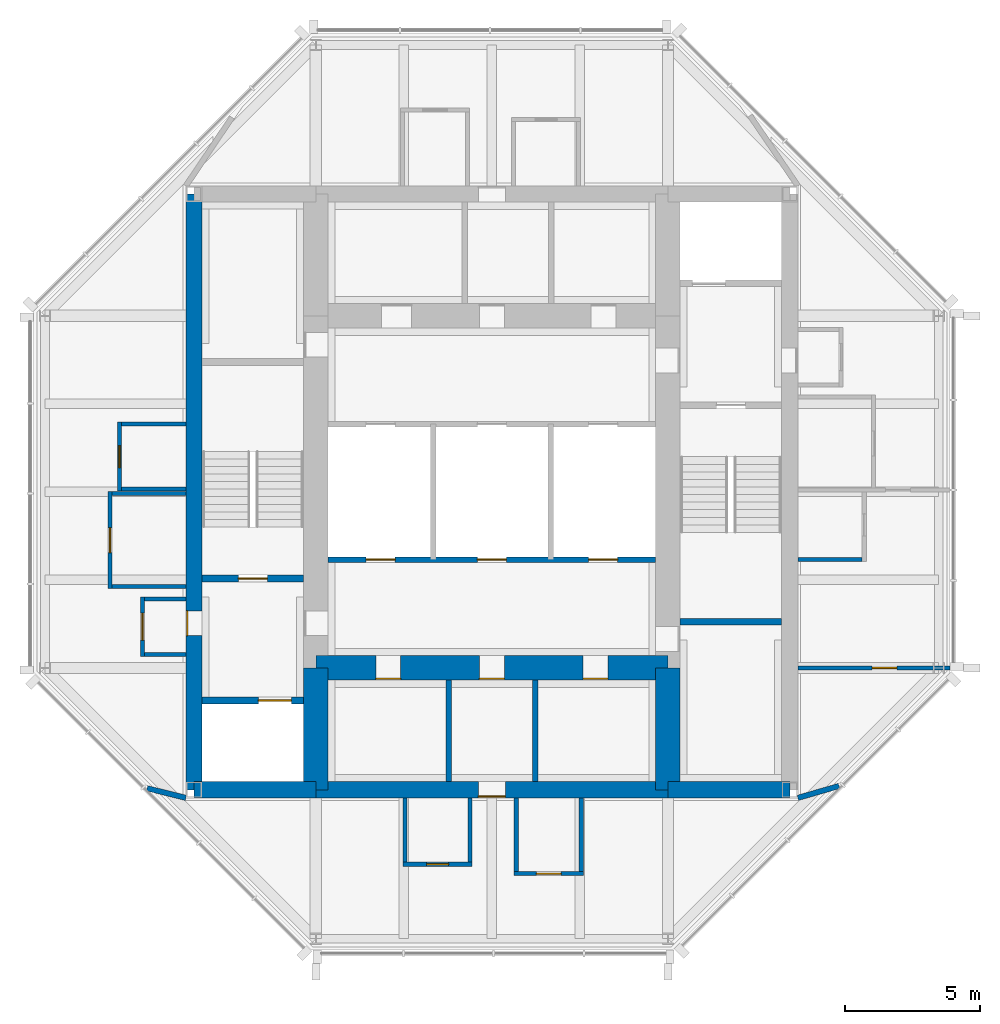
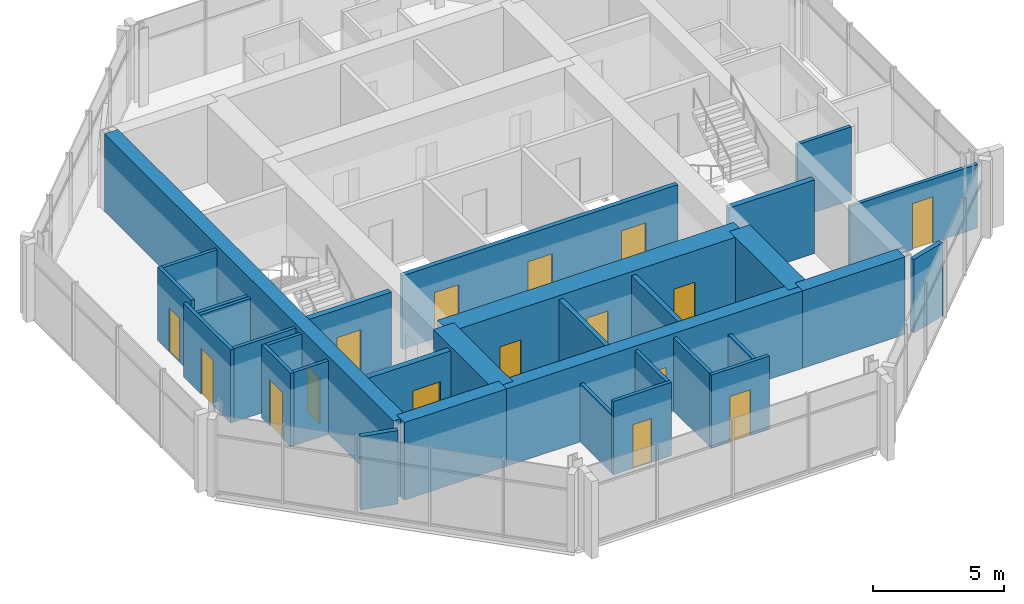
# One storey, part 5 of 8: 32 walls, 16 doors, 16 openings.
"""IFC4 building model written with IfcOpenShell, lengths in metres."""

import ifcopenshell
import ifcopenshell.guid

model = None  # the IFC model being written
_history = None  # IfcOwnerHistory: only IFC2X3 demands one
_inside = {}  # id of a spatial element -> (the spatial element, [elements in it])
_under = {}  # id of a project, library or spatial element -> (it, [spatial elements below it])
_declared = {}  # id of a project -> (the project, [libraries it declares])
_typed = {}  # id of a type object -> (the type object, [elements of that type])
_made_of = {}  # id of a material, layer set ... -> (it, [elements and type objects made of it])


def new_model(schema):
    """Start an empty IFC model of exactly this schema.

    Asked for "IFC4X3", IfcOpenShell would pick the latest addendum, in which some entities
    have other attributes; the version numbers below select the first issue.
    IFC2X3 requires an IfcOwnerHistory on every rooted entity: one is made here for all.
    """
    global model, _history
    if schema == "IFC4X3":
        model = ifcopenshell.file(schema_version=(4, 3, 0, 0))
    else:
        model = ifcopenshell.file(schema=schema)
    _inside.clear()
    _under.clear()
    _declared.clear()
    _typed.clear()
    _made_of.clear()
    _history = None
    if model.schema == "IFC2X3":
        org = make("IfcOrganization", Name="unknown")
        user = make(
            "IfcPersonAndOrganization",
            ThePerson=make("IfcPerson", FamilyName="unknown"),
            TheOrganization=org,
        )
        app = make(
            "IfcApplication",
            ApplicationDeveloper=org,
            Version="unknown",
            ApplicationFullName="unknown",
            ApplicationIdentifier="unknown",
        )
        _history = make(
            "IfcOwnerHistory",
            OwningUser=user,
            OwningApplication=app,
            ChangeAction="ADDED",
            CreationDate=0,
        )
    return model


def make(cls, **values):
    """One entity of the class cls with the attributes given. An attribute that is None is left unset."""
    return model.create_entity(
        cls, **{name: value for name, value in values.items() if value is not None}
    )


def rooted(cls, **values):
    """An entity with a GlobalId (a new one), such as an element, a storey or a relation."""
    return make(cls, GlobalId=ifcopenshell.guid.new(), OwnerHistory=_history, **values)


def si_unit(unit_type, name, prefix=None):
    """IfcSIUnit, for example si_unit("LENGTHUNIT", "METRE", prefix="MILLI")."""
    return make("IfcSIUnit", UnitType=unit_type, Prefix=prefix, Name=name)


def assignment(units):
    """IfcUnitAssignment: the units of a project."""
    return None if units is None else make("IfcUnitAssignment", Units=units)


def point(xyz):
    """IfcCartesianPoint."""
    return None if xyz is None else make("IfcCartesianPoint", Coordinates=xyz)


def direction(xyz):
    """IfcDirection."""
    return None if xyz is None else make("IfcDirection", DirectionRatios=xyz)


def frame(location, z_axis=None, x_axis=None):
    """IfcAxis2Placement3D, a coordinate frame: its origin and axes. An axis left out is left unset."""
    return make(
        "IfcAxis2Placement3D",
        Location=point(location),
        Axis=direction(z_axis),
        RefDirection=direction(x_axis),
    )


def frame_2d(location, x_axis=None):
    """IfcAxis2Placement2D, a coordinate frame in the plane: its origin and x axis."""
    return make(
        "IfcAxis2Placement2D", Location=point(location), RefDirection=direction(x_axis)
    )


def origin():
    """The frame at (0, 0, 0) with its axes left unset."""
    return frame((0.0, 0.0, 0.0))


def place(relative_to, where):
    """IfcLocalPlacement: puts the frame where relative to a parent placement (None: the world)."""
    return make(
        "IfcLocalPlacement", PlacementRelTo=relative_to, RelativePlacement=where
    )


def context(
    kind, dimensions, precision=None, world=None, true_north=None, identifier=None
):
    """IfcGeometricRepresentationContext, for example the 3D "Model" context."""
    return make(
        "IfcGeometricRepresentationContext",
        ContextIdentifier=identifier,
        ContextType=kind,
        CoordinateSpaceDimension=dimensions,
        Precision=precision,
        WorldCoordinateSystem=world,
        TrueNorth=true_north,
    )


def subcontext(parent, identifier, kind, view, scale=None):
    """IfcGeometricRepresentationSubContext, for example "Body" below "Model"."""
    return make(
        "IfcGeometricRepresentationSubContext",
        ContextIdentifier=identifier,
        ContextType=kind,
        ParentContext=parent,
        TargetScale=scale,
        TargetView=view,
    )


def project(units=None, contexts=None):
    """IfcProject with its units and contexts."""
    return rooted(
        "IfcProject",
        Name="project",
        RepresentationContexts=contexts,
        UnitsInContext=assignment(units),
    )


def spatial(cls, under=None, at=None, **own):
    """A site, building, storey or space (cls), placed at a placement, below another one or the project."""
    s = rooted(cls, ObjectPlacement=at, **own)
    if under is not None:
        _under.setdefault(under.id(), (under, []))[1].append(s)
    return s


def profile(cls, at=None, kind="AREA", **sizes):
    """A parametric profile (cls). Its sizes go by their IFC names, for example OverallWidth=200.0."""
    return make(cls, ProfileType=kind, Position=at, **sizes)


def rectangle(**sizes):
    """IfcRectangleProfileDef."""
    return profile("IfcRectangleProfileDef", **sizes)


def extrude(swept, where, along, depth):
    """IfcExtrudedAreaSolid: the profile swept, set in the frame where, extruded along a direction by depth."""
    return make(
        "IfcExtrudedAreaSolid",
        SweptArea=swept,
        Position=where,
        ExtrudedDirection=direction(along),
        Depth=depth,
    )


def shape(context_of_items, identifier, shape_type, items):
    """IfcShapeRepresentation: the items that make up one representation, for example the "Body"."""
    return make(
        "IfcShapeRepresentation",
        ContextOfItems=context_of_items,
        RepresentationIdentifier=identifier,
        RepresentationType=shape_type,
        Items=items,
    )


def material(Name=None, Category=None):
    """IfcMaterial."""
    return make("IfcMaterial", Name=Name, Category=Category)


def layer(
    of_material, thickness, ventilated=None, Name=None, Category=None, Priority=None
):
    """IfcMaterialLayer: one layer of a wall or slab, of a material (None: an air gap)."""
    return make(
        "IfcMaterialLayer",
        Material=of_material,
        LayerThickness=thickness,
        IsVentilated=ventilated,
        Name=Name,
        Category=Category,
        Priority=Priority,
    )


def layer_set(layers, Name=None):
    """IfcMaterialLayerSet."""
    return make("IfcMaterialLayerSet", MaterialLayers=layers, LayerSetName=Name)


def made_of(thing, what):
    """Note that an element or type object is made of a material, layer set ...; save() writes the relation."""
    if what is not None:
        _made_of.setdefault(what.id(), (what, []))[1].append(thing)
    return thing


def type_object(cls, material=None, **own):
    """A type object (cls), such as IfcWallType, which elements share."""
    return made_of(rooted(cls, **own), material)


def element(
    cls,
    number,
    at=None,
    inside=None,
    cuts=None,
    type_object=None,
    material=None,
    context=None,
    identifier="Body",
    shape_type=None,
    held_by="IfcProductDefinitionShape",
    body=None,
    shapes=None,
    **own,
):
    """One element of the class cls, such as IfcWall. Its Tag is "e" and its number.

    at: its placement. inside: the storey or other place that contains it. cuts: it is an
    opening in that element (IfcRelVoidsElement). A single representation is given by context,
    identifier, shape_type and body (its items); several are given by shapes. held_by: the class
    of the entity that holds the representations. save() writes the other relations.
    """
    e = rooted(cls, Tag="e%d" % number, ObjectPlacement=at, **own)
    if body is not None:
        shapes = [shape(context, identifier, shape_type, body)]
    if shapes is not None:
        e.Representation = make(held_by, Representations=shapes)
    if inside is not None:
        _inside.setdefault(inside.id(), (inside, []))[1].append(e)
    if cuts is not None:
        rooted(
            "IfcRelVoidsElement", RelatingBuildingElement=cuts, RelatedOpeningElement=e
        )
    if type_object is not None:
        _typed.setdefault(type_object.id(), (type_object, []))[1].append(e)
    return made_of(e, material)


def fill(opening, filler):
    """IfcRelFillsElement: the door or window that sits in an opening."""
    return rooted(
        "IfcRelFillsElement",
        RelatingOpeningElement=opening,
        RelatedBuildingElement=filler,
    )


def aggregate(whole, parts):
    """IfcRelAggregates: a whole, such as a stair, and the parts it consists of."""
    return rooted("IfcRelAggregates", RelatingObject=whole, RelatedObjects=parts)


def save(model, path):
    """Write the relations noted so far, then the file.

    IfcRelAggregates (storeys below a building ...), IfcRelContainedInSpatialStructure (elements
    in a storey), IfcRelDefinesByType, IfcRelAssociatesMaterial and IfcRelDeclares: one each for
    every whole, place, type object, material and project.
    """
    for whole, parts in _under.values():
        aggregate(whole, parts)
    for where, things in _inside.values():
        rooted(
            "IfcRelContainedInSpatialStructure",
            RelatedElements=things,
            RelatingStructure=where,
        )
    for kind, things in _typed.values():
        rooted("IfcRelDefinesByType", RelatedObjects=things, RelatingType=kind)
    for what, things in _made_of.values():
        rooted("IfcRelAssociatesMaterial", RelatedObjects=things, RelatingMaterial=what)
    for by, libraries in _declared.values():
        rooted("IfcRelDeclares", RelatingContext=by, RelatedDefinitions=libraries)
    model.write(path)


model = new_model("IFC4")

# Units and contexts
model_context = context("Model", 3, precision=1e-05, world=origin(), true_north=direction((0.0, 1.0)))
body_context = subcontext(model_context, "Body", "Model", "MODEL_VIEW")
ifc_project = project(units=[si_unit("LENGTHUNIT", "METRE"), si_unit("AREAUNIT", "SQUARE_METRE"), si_unit("VOLUMEUNIT", "CUBIC_METRE"), si_unit("PLANEANGLEUNIT", "RADIAN"), si_unit("MASSUNIT", "GRAM", prefix="KILO")], contexts=[model_context])

# Site, building, storey
site_placement = place(None, origin())
site = spatial("IfcSite", under=ifc_project, at=site_placement, CompositionType="ELEMENT")
building_placement = place(site_placement, origin())
building = spatial("IfcBuilding", under=site, at=building_placement, Name="Trevanion Tower", CompositionType="ELEMENT")
storey_placement = place(building_placement, frame((0.0, 0.0, 270.39990234375)))
storey = spatial("IfcBuildingStorey", under=building, at=storey_placement, Name="L66", CompositionType="ELEMENT", Elevation=270.39990234375)

# Wall, opening, door
ifc_material_1 = material(Name="Concrete 10,000 psi", Category="concrete")
ifc_layer_1 = layer(ifc_material_1, 0.60009765625)
ifc_layer_set_1 = layer_set([ifc_layer_1], Name="CW1 core wall 600")
wall_type_1 = type_object("IfcWallType", Name="CW1 core wall 600", PredefinedType="SHEAR", material=ifc_layer_set_1)
wall_1_placement = place(storey_placement, frame((-11.0, 11.0, 0.0), z_axis=(0.0, 0.0, 1.0), x_axis=(0.0, -1.0, 0.0)))
wall_1 = element("IfcWall", 1, at=wall_1_placement, inside=storey, type_object=wall_type_1, Name="CW1 CW L66", PredefinedType="SHEAR", context=body_context, shape_type="SweptSolid", body=[
    extrude(rectangle(XDim=22.0, YDim=0.60009765625, at=frame_2d((11.0, 0.0))), origin(), (0.0, 0.0, 1.0), 3.60009765625),
])
opening_1_placement = place(wall_1_placement, frame((15.392578125, 0.0, 0.0)))
opening_1 = element("IfcOpeningElement", 2, at=opening_1_placement, cuts=wall_1, Name="Opening 66-002", PredefinedType="OPENING", context=body_context, shape_type="SweptSolid", body=[
    extrude(rectangle(XDim=0.9150390625, YDim=2.134033203125, at=frame_2d((0.45751953125, 1.06689453125))), frame((0.0, 0.31005859375, 0.0), z_axis=(0.0, -1.0, 0.0), x_axis=(1.0, 0.0, 0.0)), (0.0, 0.0, 1.0), 0.6201171875),
])
ifc_material_2 = material(Name="Hollow metal, fire rated", Category="steel")
door_type_1 = type_object("IfcDoorType", Name="D3 fire lift lobby door", OperationType="SINGLE_SWING_RIGHT", PredefinedType="DOOR", material=ifc_material_2)
door_1_placement = place(opening_1_placement, origin())
door_1 = element("IfcDoor", 3, at=door_1_placement, inside=storey, type_object=door_type_1, Name="Door 66-002", OperationType="SINGLE_SWING_RIGHT", OverallHeight=2.134033203125, OverallWidth=0.9150390625, PredefinedType="DOOR", context=body_context, shape_type="SweptSolid", body=[
    extrude(rectangle(XDim=0.9150390625, YDim=2.134033203125, at=frame_2d((0.45751953125, 1.06689453125))), frame((0.0, -0.22509765625, 0.0), z_axis=(0.0, -1.0, 0.0), x_axis=(1.0, 0.0, 0.0)), (0.0, 0.0, 1.0), 0.050048828125),
])
fill(opening_1, door_1)

# Wall
wall_2_placement = place(storey_placement, frame((-11.0, -11.0, 0.0), z_axis=(0.0, 0.0, 1.0), x_axis=(1.0, 0.0, 0.0)))
element("IfcWall", 4, at=wall_2_placement, inside=storey, type_object=wall_type_1, Name="CW1 CS1 L66", PredefinedType="SHEAR", context=body_context, shape_type="SweptSolid", body=[
    extrude(rectangle(XDim=4.5, YDim=0.60009765625, at=frame_2d((2.25, 0.0))), origin(), (0.0, 0.0, 1.0), 3.60009765625),
])

# Wall, opening, door
wall_3_placement = place(storey_placement, frame((-6.5, -11.0, 0.0), z_axis=(0.0, 0.0, 1.0), x_axis=(1.0, 0.0, 0.0)))
wall_3 = element("IfcWall", 5, at=wall_3_placement, inside=storey, type_object=wall_type_1, Name="CW1 CS2 L66", PredefinedType="SHEAR", context=body_context, shape_type="SweptSolid", body=[
    extrude(rectangle(XDim=13.0, YDim=0.60009765625, at=frame_2d((6.5, 0.0))), origin(), (0.0, 0.0, 1.0), 3.60009765625),
])
opening_2_placement = place(wall_3_placement, frame((6.0, 0.0, 0.0)))
opening_2 = element("IfcOpeningElement", 6, at=opening_2_placement, cuts=wall_3, Name="Opening 66-022", PredefinedType="OPENING", context=body_context, shape_type="SweptSolid", body=[
    extrude(rectangle(XDim=1.0, YDim=2.134033203125, at=frame_2d((0.5, 1.06689453125))), frame((0.0, 0.31005859375, 0.0), z_axis=(0.0, -1.0, 0.0), x_axis=(1.0, 0.0, 0.0)), (0.0, 0.0, 1.0), 0.6201171875),
])
ifc_material_3 = material(Name="Timber veneer on steel frame, fire rated", Category="steel")
door_type_2 = type_object("IfcDoorType", Name="D13 residence entrance door", OperationType="SINGLE_SWING_RIGHT", PredefinedType="DOOR", material=ifc_material_3)
door_2_placement = place(opening_2_placement, origin())
door_2 = element("IfcDoor", 7, at=door_2_placement, inside=storey, type_object=door_type_2, Name="Door 66-022", OperationType="SINGLE_SWING_RIGHT", OverallHeight=2.134033203125, OverallWidth=1.0, PredefinedType="DOOR", context=body_context, shape_type="SweptSolid", body=[
    extrude(rectangle(XDim=1.0, YDim=2.134033203125, at=frame_2d((0.5, 1.06689453125))), frame((0.0, -0.22509765625, 0.0), z_axis=(0.0, -1.0, 0.0), x_axis=(1.0, 0.0, 0.0)), (0.0, 0.0, 1.0), 0.050048828125),
])
fill(opening_2, door_2)

# Walls
wall_4_placement = place(storey_placement, frame((6.5, -11.0, 0.0), z_axis=(0.0, 0.0, 1.0), x_axis=(1.0, 0.0, 0.0)))
element("IfcWall", 8, at=wall_4_placement, inside=storey, type_object=wall_type_1, Name="CW1 CS3 L66", PredefinedType="SHEAR", context=body_context, shape_type="SweptSolid", body=[
    extrude(rectangle(XDim=4.5, YDim=0.60009765625, at=frame_2d((2.25, 0.0))), origin(), (0.0, 0.0, 1.0), 3.60009765625),
])
ifc_material_4 = material(Name="Concrete 10,000 psi", Category="concrete")
ifc_layer_2 = layer(ifc_material_4, 0.89990234375)
ifc_layer_set_2 = layer_set([ifc_layer_2], Name="CW2 core wall 900")
wall_type_2 = type_object("IfcWallType", Name="CW2 core wall 900", PredefinedType="SHEAR", material=ifc_layer_set_2)
for number, where, z_axis, x_axis, name in (
    (9, (6.5, -11.0, 0.0), (0.0, 0.0, 1.0), (0.0, 1.0, 0.0), "CW2 RE1 L66"),
    (10, (-6.5, -6.5, 0.0), (0.0, 0.0, 1.0), (0.0, -1.0, 0.0), "CW2 RW3 L66"),
):
    element("IfcWall", number, at=place(storey_placement, frame(where, z_axis=z_axis, x_axis=x_axis)), inside=storey, type_object=wall_type_2, Name=name, PredefinedType="SHEAR", context=body_context, shape_type="SweptSolid", body=[
        extrude(rectangle(XDim=4.5, YDim=0.89990234375, at=frame_2d((2.25, 0.0))), origin(), (0.0, 0.0, 1.0), 3.60009765625),
    ])

# Wall, openings, doors
wall_5_placement = place(storey_placement, frame((-6.5, -6.5, 0.0), z_axis=(0.0, 0.0, 1.0), x_axis=(1.0, 0.0, 0.0)))
wall_5 = element("IfcWall", 11, at=wall_5_placement, inside=storey, type_object=wall_type_2, Name="CW2 RS L66", PredefinedType="SHEAR", context=body_context, shape_type="SweptSolid", body=[
    extrude(rectangle(XDim=13.0, YDim=0.89990234375, at=frame_2d((6.5, 0.0))), origin(), (0.0, 0.0, 1.0), 3.60009765625),
])
opening_3_placement = place(wall_5_placement, frame((6.04248046875, 0.0, 0.0)))
opening_3 = element("IfcOpeningElement", 12, at=opening_3_placement, cuts=wall_5, Name="Opening 66-021", PredefinedType="OPENING", context=body_context, shape_type="SweptSolid", body=[
    extrude(rectangle(XDim=0.9150390625, YDim=2.134033203125, at=frame_2d((0.45751953125, 1.06689453125))), frame((0.0, 0.4599609375, 0.0), z_axis=(0.0, -1.0, 0.0), x_axis=(1.0, 0.0, 0.0)), (0.0, 0.0, 1.0), 0.919921875),
])
opening_4_placement = place(wall_5_placement, frame((2.217529296875, 0.0, 0.0)))
opening_4 = element("IfcOpeningElement", 13, at=opening_4_placement, cuts=wall_5, Name="Opening 66-023", PredefinedType="OPENING", context=body_context, shape_type="SweptSolid", body=[
    extrude(rectangle(XDim=0.9150390625, YDim=2.134033203125, at=frame_2d((0.45751953125, 1.06689453125))), frame((0.0, 0.4599609375, 0.0), z_axis=(0.0, -1.0, 0.0), x_axis=(1.0, 0.0, 0.0)), (0.0, 0.0, 1.0), 0.919921875),
])
opening_5_placement = place(wall_5_placement, frame((9.867431640625, 0.0, 0.0)))
opening_5 = element("IfcOpeningElement", 14, at=opening_5_placement, cuts=wall_5, Name="Opening 66-024", PredefinedType="OPENING", context=body_context, shape_type="SweptSolid", body=[
    extrude(rectangle(XDim=0.9150390625, YDim=2.134033203125, at=frame_2d((0.45751953125, 1.06689453125))), frame((0.0, 0.4599609375, 0.0), z_axis=(0.0, -1.0, 0.0), x_axis=(1.0, 0.0, 0.0)), (0.0, 0.0, 1.0), 0.919921875),
])
door_3_placement = place(opening_3_placement, origin())
door_3 = element("IfcDoor", 15, at=door_3_placement, inside=storey, type_object=door_type_1, Name="Door 66-021", OperationType="SINGLE_SWING_RIGHT", OverallHeight=2.134033203125, OverallWidth=0.9150390625, PredefinedType="DOOR", context=body_context, shape_type="SweptSolid", body=[
    extrude(rectangle(XDim=0.9150390625, YDim=2.134033203125, at=frame_2d((0.45751953125, 1.06689453125))), frame((0.0, -0.375, 0.0), z_axis=(0.0, -1.0, 0.0), x_axis=(1.0, 0.0, 0.0)), (0.0, 0.0, 1.0), 0.050048828125),
])
fill(opening_3, door_3)
ifc_material_5 = material(Name="Hollow metal, fire rated", Category="steel")
door_type_3 = type_object("IfcDoorType", Name="D5 service room door", OperationType="SINGLE_SWING_RIGHT", PredefinedType="DOOR", material=ifc_material_5)
door_4_placement = place(opening_4_placement, origin())
door_4 = element("IfcDoor", 16, at=door_4_placement, inside=storey, type_object=door_type_3, Name="Door 66-023", OperationType="SINGLE_SWING_RIGHT", OverallHeight=2.134033203125, OverallWidth=0.9150390625, PredefinedType="DOOR", context=body_context, shape_type="SweptSolid", body=[
    extrude(rectangle(XDim=0.9150390625, YDim=2.134033203125, at=frame_2d((0.45751953125, 1.06689453125))), frame((0.0, -0.375, 0.0), z_axis=(0.0, -1.0, 0.0), x_axis=(1.0, 0.0, 0.0)), (0.0, 0.0, 1.0), 0.050048828125),
])
fill(opening_4, door_4)
door_5_placement = place(opening_5_placement, origin())
door_5 = element("IfcDoor", 17, at=door_5_placement, inside=storey, type_object=door_type_3, Name="Door 66-024", OperationType="SINGLE_SWING_RIGHT", OverallHeight=2.134033203125, OverallWidth=0.9150390625, PredefinedType="DOOR", context=body_context, shape_type="SweptSolid", body=[
    extrude(rectangle(XDim=0.9150390625, YDim=2.134033203125, at=frame_2d((0.45751953125, 1.06689453125))), frame((0.0, -0.375, 0.0), z_axis=(0.0, -1.0, 0.0), x_axis=(1.0, 0.0, 0.0)), (0.0, 0.0, 1.0), 0.050048828125),
])
fill(opening_5, door_5)

# Wall, opening, door
ifc_material_6 = material(Name="Gypsum board on steel studs", Category="steel")
ifc_layer_3 = layer(ifc_material_6, 0.14990234375)
ifc_layer_set_3 = layer_set([ifc_layer_3], Name="PT1 partition 150")
wall_type_3 = type_object("IfcWallType", Name="PT1 partition 150", PredefinedType="PARTITIONING", material=ifc_layer_set_3)
wall_6_placement = place(storey_placement, frame((11.300048828125, -6.5, 0.0), z_axis=(0.0, 0.0, 1.0), x_axis=(1.0, 0.0, 0.0)))
wall_6 = element("IfcWall", 18, at=wall_6_placement, inside=storey, type_object=wall_type_3, Name="PT1 L66 REC0", PredefinedType="PARTITIONING", context=body_context, shape_type="SweptSolid", body=[
    extrude(rectangle(XDim=5.614990234375, YDim=0.14990234375, at=frame_2d((2.8076171875, 0.0))), origin(), (0.0, 0.0, 1.0), 2.965576171875),
])
opening_6_placement = place(wall_6_placement, frame((2.742431640625, 0.0, 0.0)))
opening_6 = element("IfcOpeningElement", 19, at=opening_6_placement, cuts=wall_6, Name="Opening 66-028", PredefinedType="OPENING", context=body_context, shape_type="SweptSolid", body=[
    extrude(rectangle(XDim=0.9150390625, YDim=2.134033203125, at=frame_2d((0.45751953125, 1.06689453125))), frame((0.0, 0.0849609375, 0.0), z_axis=(0.0, -1.0, 0.0), x_axis=(1.0, 0.0, 0.0)), (0.0, 0.0, 1.0), 0.169921875),
])
ifc_material_7 = material(Name="Timber veneer, solid core", Category="wood")
door_type_4 = type_object("IfcDoorType", Name="D1 office and meeting room door", OperationType="SINGLE_SWING_LEFT", PredefinedType="DOOR", material=ifc_material_7)
door_6_placement = place(opening_6_placement, origin())
door_6 = element("IfcDoor", 20, at=door_6_placement, inside=storey, type_object=door_type_4, Name="Door 66-028", OperationType="SINGLE_SWING_LEFT", OverallHeight=2.134033203125, OverallWidth=0.9150390625, PredefinedType="DOOR", context=body_context, shape_type="SweptSolid", body=[
    extrude(rectangle(XDim=0.9150390625, YDim=2.134033203125, at=frame_2d((0.45751953125, 1.06689453125))), frame((0.0, 0.02490234375, 0.0), z_axis=(0.0, -1.0, 0.0), x_axis=(1.0, 0.0, 0.0)), (0.0, 0.0, 1.0), 0.050048828125),
])
fill(opening_6, door_6)

# Walls
wall_7_placement = place(storey_placement, frame((11.300048828125, -2.5, 0.0), z_axis=(0.0, 0.0, 1.0), x_axis=(1.0, 0.0, 0.0)))
element("IfcWall", 21, at=wall_7_placement, inside=storey, type_object=wall_type_3, Name="PT1 L66 RETA", PredefinedType="PARTITIONING", context=body_context, shape_type="SweptSolid", body=[
    extrude(rectangle(XDim=2.375, YDim=0.14990234375, at=frame_2d((1.1875, 0.0))), origin(), (0.0, 0.0, 1.0), 3.41015625),
])
for number, where, z_axis, x_axis, name in (
    (22, (-11.300048828125, -3.949951171875, 0.0), (0.0, 0.0, 1.0), (-1.0, 0.0, 0.0), "PT1 L66 RWEA"),
    (23, (-11.300048828125, -6.0, 0.0), (0.0, 0.0, 1.0), (-1.0, 0.0, 0.0), "PT1 L66 RWEB"),
):
    element("IfcWall", number, at=place(storey_placement, frame(where, z_axis=z_axis, x_axis=x_axis)), inside=storey, type_object=wall_type_3, Name=name, PredefinedType="PARTITIONING", context=body_context, shape_type="SweptSolid", body=[
        extrude(rectangle(XDim=1.52490234375, YDim=0.14990234375, at=frame_2d((0.762451171875, 0.0))), origin(), (0.0, 0.0, 1.0), 3.41015625),
    ])

# Wall, opening, door
wall_8_placement = place(storey_placement, frame((-14.10009765625, 0.010009765625, 0.0), z_axis=(0.0, 0.0, 1.0), x_axis=(0.0, -1.0, 0.0)))
wall_8 = element("IfcWall", 24, at=wall_8_placement, inside=storey, type_object=wall_type_3, Name="PT1 L66 RWKF", PredefinedType="PARTITIONING", context=body_context, shape_type="SweptSolid", body=[
    extrude(rectangle(XDim=3.5849609375, YDim=0.14990234375, at=frame_2d((1.79248046875, 0.0))), origin(), (0.0, 0.0, 1.0), 3.41015625),
])
opening_7_placement = place(wall_8_placement, frame((1.3349609375, 0.0, 0.0)))
opening_7 = element("IfcOpeningElement", 25, at=opening_7_placement, cuts=wall_8, Name="Opening 66-033", PredefinedType="OPENING", context=body_context, shape_type="SweptSolid", body=[
    extrude(rectangle(XDim=0.9150390625, YDim=2.134033203125, at=frame_2d((0.45751953125, 1.06689453125))), frame((0.0, 0.0849609375, 0.0), z_axis=(0.0, -1.0, 0.0), x_axis=(1.0, 0.0, 0.0)), (0.0, 0.0, 1.0), 0.169921875),
])
door_7_placement = place(opening_7_placement, origin())
door_7 = element("IfcDoor", 26, at=door_7_placement, inside=storey, type_object=door_type_4, Name="Door 66-033", OperationType="SINGLE_SWING_LEFT", OverallHeight=2.134033203125, OverallWidth=0.9150390625, PredefinedType="DOOR", context=body_context, shape_type="SweptSolid", body=[
    extrude(rectangle(XDim=0.9150390625, YDim=2.134033203125, at=frame_2d((0.45751953125, 1.06689453125))), frame((0.0, 0.02490234375, 0.0), z_axis=(0.0, -1.0, 0.0), x_axis=(1.0, 0.0, 0.0)), (0.0, 0.0, 1.0), 0.050048828125),
])
fill(opening_7, door_7)

# Walls
wall_9_placement = place(storey_placement, frame((-11.300048828125, -0.06494140625, 0.0), z_axis=(0.0, 0.0, 1.0), x_axis=(-1.0, 0.0, 0.0)))
element("IfcWall", 27, at=wall_9_placement, inside=storey, type_object=wall_type_3, Name="PT1 L66 RWKA", PredefinedType="PARTITIONING", context=body_context, shape_type="SweptSolid", body=[
    extrude(rectangle(XDim=2.724853515625, YDim=0.14990234375, at=frame_2d((1.3623046875, 0.0))), origin(), (0.0, 0.0, 1.0), 2.708984375),
])
wall_10_placement = place(storey_placement, frame((-11.300048828125, -3.5, 0.0), z_axis=(0.0, 0.0, 1.0), x_axis=(-1.0, 0.0, 0.0)))
element("IfcWall", 28, at=wall_10_placement, inside=storey, type_object=wall_type_3, Name="PT1 L66 RWKB", PredefinedType="PARTITIONING", context=body_context, shape_type="SweptSolid", body=[
    extrude(rectangle(XDim=2.724853515625, YDim=0.14990234375, at=frame_2d((1.3623046875, 0.0))), origin(), (0.0, 0.0, 1.0), 3.41015625),
])

# Wall, opening, door
wall_11_placement = place(storey_placement, frame((-13.75, 2.574951171875, 0.0), z_axis=(0.0, 0.0, 1.0), x_axis=(0.0, -1.0, 0.0)))
wall_11 = element("IfcWall", 29, at=wall_11_placement, inside=storey, type_object=wall_type_3, Name="PT1 L66 RWTF", PredefinedType="PARTITIONING", context=body_context, shape_type="SweptSolid", body=[
    extrude(rectangle(XDim=2.550048828125, YDim=0.14990234375, at=frame_2d((1.27490234375, 0.0))), origin(), (0.0, 0.0, 1.0), 3.41015625),
])
opening_8_placement = place(wall_11_placement, frame((0.868408203125, 0.0, 0.0)))
opening_8 = element("IfcOpeningElement", 30, at=opening_8_placement, cuts=wall_11, Name="Opening 66-034", PredefinedType="OPENING", context=body_context, shape_type="SweptSolid", body=[
    extrude(rectangle(XDim=0.81298828125, YDim=2.031982421875, at=frame_2d((0.406494140625, 1.01611328125))), frame((0.0, 0.0849609375, 0.0), z_axis=(0.0, -1.0, 0.0), x_axis=(1.0, 0.0, 0.0)), (0.0, 0.0, 1.0), 0.169921875),
])
ifc_material_8 = material(Name="Timber veneer", Category="wood")
door_type_5 = type_object("IfcDoorType", Name="D14 residence bathroom door", OperationType="SINGLE_SWING_LEFT", PredefinedType="DOOR", material=ifc_material_8)
door_8_placement = place(opening_8_placement, origin())
door_8 = element("IfcDoor", 31, at=door_8_placement, inside=storey, type_object=door_type_5, Name="Door 66-034", OperationType="SINGLE_SWING_LEFT", OverallHeight=2.031982421875, OverallWidth=0.81298828125, PredefinedType="DOOR", context=body_context, shape_type="SweptSolid", body=[
    extrude(rectangle(XDim=0.81298828125, YDim=2.031982421875, at=frame_2d((0.406494140625, 1.01611328125))), frame((0.0, 0.02490234375, 0.0), z_axis=(0.0, -1.0, 0.0), x_axis=(1.0, 0.0, 0.0)), (0.0, 0.0, 1.0), 0.050048828125),
])
fill(opening_8, door_8)

# Walls
wall_12_placement = place(storey_placement, frame((-11.300048828125, 2.5, 0.0), z_axis=(0.0, 0.0, 1.0), x_axis=(-1.0, 0.0, 0.0)))
element("IfcWall", 32, at=wall_12_placement, inside=storey, type_object=wall_type_3, Name="PT1 L66 RWTA", PredefinedType="PARTITIONING", context=body_context, shape_type="SweptSolid", body=[
    extrude(rectangle(XDim=2.375, YDim=0.14990234375, at=frame_2d((1.1875, 0.0))), origin(), (0.0, 0.0, 1.0), 3.41015625),
])
wall_13_placement = place(storey_placement, frame((-11.300048828125, 0.10009765625, 0.0), z_axis=(0.0, 0.0, 1.0), x_axis=(-1.0, 0.0, 0.0)))
element("IfcWall", 33, at=wall_13_placement, inside=storey, type_object=wall_type_3, Name="PT1 L66 RWTB", PredefinedType="PARTITIONING", context=body_context, shape_type="SweptSolid", body=[
    extrude(rectangle(XDim=2.375, YDim=0.14990234375, at=frame_2d((1.1875, 0.0))), origin(), (0.0, 0.0, 1.0), 2.708984375),
])

# Wall, opening, door
wall_14_placement = place(storey_placement, frame((0.824951171875, -14.10009765625, 0.0), z_axis=(0.0, 0.0, 1.0), x_axis=(1.0, 0.0, 0.0)))
wall_14 = element("IfcWall", 34, at=wall_14_placement, inside=storey, type_object=wall_type_3, Name="PT1 L66 RSKF", PredefinedType="PARTITIONING", context=body_context, shape_type="SweptSolid", body=[
    extrude(rectangle(XDim=2.550048828125, YDim=0.14990234375, at=frame_2d((1.27490234375, 0.0))), origin(), (0.0, 0.0, 1.0), 3.41015625),
])
opening_9_placement = place(wall_14_placement, frame((0.8173828125, 0.0, 0.0)))
opening_9 = element("IfcOpeningElement", 35, at=opening_9_placement, cuts=wall_14, Name="Opening 66-035", PredefinedType="OPENING", context=body_context, shape_type="SweptSolid", body=[
    extrude(rectangle(XDim=0.9150390625, YDim=2.134033203125, at=frame_2d((0.45751953125, 1.06689453125))), frame((0.0, 0.0849609375, 0.0), z_axis=(0.0, -1.0, 0.0), x_axis=(1.0, 0.0, 0.0)), (0.0, 0.0, 1.0), 0.169921875),
])
door_9_placement = place(opening_9_placement, origin())
door_9 = element("IfcDoor", 36, at=door_9_placement, inside=storey, type_object=door_type_4, Name="Door 66-035", OperationType="SINGLE_SWING_LEFT", OverallHeight=2.134033203125, OverallWidth=0.9150390625, PredefinedType="DOOR", context=body_context, shape_type="SweptSolid", body=[
    extrude(rectangle(XDim=0.9150390625, YDim=2.134033203125, at=frame_2d((0.45751953125, 1.06689453125))), frame((0.0, 0.02490234375, 0.0), z_axis=(0.0, -1.0, 0.0), x_axis=(1.0, 0.0, 0.0)), (0.0, 0.0, 1.0), 0.050048828125),
])
fill(opening_9, door_9)

# Walls
wall_15_placement = place(storey_placement, frame((0.89990234375, -11.300048828125, 0.0), z_axis=(0.0, 0.0, 1.0), x_axis=(0.0, -1.0, 0.0)))
element("IfcWall", 37, at=wall_15_placement, inside=storey, type_object=wall_type_3, Name="PT1 L66 RSKA", PredefinedType="PARTITIONING", context=body_context, shape_type="SweptSolid", body=[
    extrude(rectangle(XDim=2.724853515625, YDim=0.14990234375, at=frame_2d((1.3623046875, 0.0))), origin(), (0.0, 0.0, 1.0), 3.41015625),
])
wall_16_placement = place(storey_placement, frame((3.300048828125, -11.300048828125, 0.0), z_axis=(0.0, 0.0, 1.0), x_axis=(0.0, -1.0, 0.0)))
element("IfcWall", 38, at=wall_16_placement, inside=storey, type_object=wall_type_3, Name="PT1 L66 RSKB", PredefinedType="PARTITIONING", context=body_context, shape_type="SweptSolid", body=[
    extrude(rectangle(XDim=2.724853515625, YDim=0.14990234375, at=frame_2d((1.3623046875, 0.0))), origin(), (0.0, 0.0, 1.0), 2.708984375),
])

# Wall, opening, door
wall_17_placement = place(storey_placement, frame((-3.27490234375, -13.75, 0.0), z_axis=(0.0, 0.0, 1.0), x_axis=(1.0, 0.0, 0.0)))
wall_17 = element("IfcWall", 39, at=wall_17_placement, inside=storey, type_object=wall_type_3, Name="PT1 L66 RSTF", PredefinedType="PARTITIONING", context=body_context, shape_type="SweptSolid", body=[
    extrude(rectangle(XDim=2.5498046875, YDim=0.14990234375, at=frame_2d((1.27490234375, 0.0))), origin(), (0.0, 0.0, 1.0), 3.41015625),
])
opening_10_placement = place(wall_17_placement, frame((0.868408203125, 0.0, 0.0)))
opening_10 = element("IfcOpeningElement", 40, at=opening_10_placement, cuts=wall_17, Name="Opening 66-036", PredefinedType="OPENING", context=body_context, shape_type="SweptSolid", body=[
    extrude(rectangle(XDim=0.81298828125, YDim=2.031982421875, at=frame_2d((0.406494140625, 1.01611328125))), frame((0.0, 0.0849609375, 0.0), z_axis=(0.0, -1.0, 0.0), x_axis=(1.0, 0.0, 0.0)), (0.0, 0.0, 1.0), 0.169921875),
])
door_10_placement = place(opening_10_placement, origin())
door_10 = element("IfcDoor", 41, at=door_10_placement, inside=storey, type_object=door_type_5, Name="Door 66-036", OperationType="SINGLE_SWING_LEFT", OverallHeight=2.031982421875, OverallWidth=0.81298828125, PredefinedType="DOOR", context=body_context, shape_type="SweptSolid", body=[
    extrude(rectangle(XDim=0.81298828125, YDim=2.031982421875, at=frame_2d((0.406494140625, 1.01611328125))), frame((0.0, 0.02490234375, 0.0), z_axis=(0.0, -1.0, 0.0), x_axis=(1.0, 0.0, 0.0)), (0.0, 0.0, 1.0), 0.050048828125),
])
fill(opening_10, door_10)

# Walls
wall_18_placement = place(storey_placement, frame((-3.199951171875, -11.300048828125, 0.0), z_axis=(0.0, 0.0, 1.0), x_axis=(0.0, -1.0, 0.0)))
element("IfcWall", 42, at=wall_18_placement, inside=storey, type_object=wall_type_3, Name="PT1 L66 RSTA", PredefinedType="PARTITIONING", context=body_context, shape_type="SweptSolid", body=[
    extrude(rectangle(XDim=2.375, YDim=0.14990234375, at=frame_2d((1.1875, 0.0))), origin(), (0.0, 0.0, 1.0), 2.708984375),
])
wall_19_placement = place(storey_placement, frame((-0.800048828125, -11.300048828125, 0.0), z_axis=(0.0, 0.0, 1.0), x_axis=(0.0, -1.0, 0.0)))
element("IfcWall", 43, at=wall_19_placement, inside=storey, type_object=wall_type_3, Name="PT1 L66 RSTB", PredefinedType="PARTITIONING", context=body_context, shape_type="SweptSolid", body=[
    extrude(rectangle(XDim=2.375, YDim=0.14990234375, at=frame_2d((1.1875, 0.0))), origin(), (0.0, 0.0, 1.0), 3.41015625),
])

# Wall, opening, door
ifc_material_9 = material(Name="Gypsum board on steel studs", Category="steel")
ifc_layer_4 = layer(ifc_material_9, 0.14990234375)
ifc_layer_set_4 = layer_set([ifc_layer_4], Name="PT1 partition 150 1 HR")
wall_type_4 = type_object("IfcWallType", Name="PT1 partition 150 1 HR", PredefinedType="PARTITIONING", material=ifc_layer_set_4)
wall_20_placement = place(storey_placement, frame((-12.89990234375, -3.875, 0.0), z_axis=(0.0, 0.0, 1.0), x_axis=(0.0, -1.0, 0.0)))
wall_20 = element("IfcWall", 44, at=wall_20_placement, inside=storey, type_object=wall_type_4, Name="PT1 L66 RWEF", PredefinedType="PARTITIONING", context=body_context, shape_type="SweptSolid", body=[
    extrude(rectangle(XDim=2.199951171875, YDim=0.14990234375, at=frame_2d((1.10009765625, 0.0))), origin(), (0.0, 0.0, 1.0), 3.41015625),
])
opening_11_placement = place(wall_20_placement, frame((0.60009765625, 0.0, 0.0)))
opening_11 = element("IfcOpeningElement", 45, at=opening_11_placement, cuts=wall_20, Name="Opening 66-032", PredefinedType="OPENING", context=body_context, shape_type="SweptSolid", body=[
    extrude(rectangle(XDim=1.0, YDim=2.134033203125, at=frame_2d((0.5, 1.06689453125))), frame((0.0, 0.0849609375, 0.0), z_axis=(0.0, -1.0, 0.0), x_axis=(1.0, 0.0, 0.0)), (0.0, 0.0, 1.0), 0.169921875),
])
door_11_placement = place(opening_11_placement, origin())
door_11 = element("IfcDoor", 46, at=door_11_placement, inside=storey, type_object=door_type_2, Name="Door 66-032", OperationType="SINGLE_SWING_RIGHT", OverallHeight=2.134033203125, OverallWidth=1.0, PredefinedType="DOOR", context=body_context, shape_type="SweptSolid", body=[
    extrude(rectangle(XDim=1.0, YDim=2.134033203125, at=frame_2d((0.5, 1.06689453125))), frame((0.0, 0.02490234375, 0.0), z_axis=(0.0, -1.0, 0.0), x_axis=(1.0, 0.0, 0.0)), (0.0, 0.0, 1.0), 0.050048828125),
])
fill(opening_11, door_11)

# Wall, openings, doors
ifc_material_10 = material(Name="Concrete masonry, grouted", Category="masonry")
ifc_layer_5 = layer(ifc_material_10, 0.199951171875)
ifc_layer_set_5 = layer_set([ifc_layer_5], Name="PT2 partition 200 1 HR")
wall_type_5 = type_object("IfcWallType", Name="PT2 partition 200 1 HR", PredefinedType="PARTITIONING", material=ifc_layer_set_5)
wall_21_placement = place(storey_placement, frame((6.050048828125, -2.5, 0.0), z_axis=(0.0, 0.0, 1.0), x_axis=(-1.0, 0.0, 0.0)))
wall_21 = element("IfcWall", 47, at=wall_21_placement, inside=storey, type_object=wall_type_5, Name="PT2 L66 CP2", PredefinedType="PARTITIONING", context=body_context, shape_type="SweptSolid", body=[
    extrude(rectangle(XDim=12.10009765625, YDim=0.199951171875, at=frame_2d((6.050048828125, 0.0))), origin(), (0.0, 0.0, 1.0), 3.41015625),
])
opening_12_placement = place(wall_21_placement, frame((9.624755859375, 0.0, 0.0)))
opening_12 = element("IfcOpeningElement", 48, at=opening_12_placement, cuts=wall_21, Name="Opening 66-012", PredefinedType="OPENING", context=body_context, shape_type="SweptSolid", body=[
    extrude(rectangle(XDim=1.06689453125, YDim=2.134033203125, at=frame_2d((0.533447265625, 1.06689453125))), frame((0.0, 0.10986328125, 0.0), z_axis=(0.0, -1.0, 0.0), x_axis=(1.0, 0.0, 0.0)), (0.0, 0.0, 1.0), 0.219970703125),
])
opening_13_placement = place(wall_21_placement, frame((5.5166015625, 0.0, 0.0)))
opening_13 = element("IfcOpeningElement", 49, at=opening_13_placement, cuts=wall_21, Name="Opening 66-014", PredefinedType="OPENING", context=body_context, shape_type="SweptSolid", body=[
    extrude(rectangle(XDim=1.06689453125, YDim=2.134033203125, at=frame_2d((0.533447265625, 1.06689453125))), frame((0.0, 0.10986328125, 0.0), z_axis=(0.0, -1.0, 0.0), x_axis=(1.0, 0.0, 0.0)), (0.0, 0.0, 1.0), 0.219970703125),
])
opening_14_placement = place(wall_21_placement, frame((1.408203125, 0.0, 0.0)))
opening_14 = element("IfcOpeningElement", 50, at=opening_14_placement, cuts=wall_21, Name="Opening 66-016", PredefinedType="OPENING", context=body_context, shape_type="SweptSolid", body=[
    extrude(rectangle(XDim=1.06689453125, YDim=2.134033203125, at=frame_2d((0.533447265625, 1.06689453125))), frame((0.0, 0.10986328125, 0.0), z_axis=(0.0, -1.0, 0.0), x_axis=(1.0, 0.0, 0.0)), (0.0, 0.0, 1.0), 0.219970703125),
])
ifc_material_11 = material(Name="Stainless steel, fire rated", Category="steel")
door_type_6 = type_object("IfcDoorType", Name="LD1 lift landing door", OperationType="SLIDING_TO_LEFT", PredefinedType="DOOR", material=ifc_material_11)
door_12_placement = place(opening_12_placement, origin())
door_12 = element("IfcDoor", 51, at=door_12_placement, inside=storey, type_object=door_type_6, Name="Door 66-012", OperationType="SLIDING_TO_LEFT", OverallHeight=2.134033203125, OverallWidth=1.06689453125, PredefinedType="DOOR", context=body_context, shape_type="SweptSolid", body=[
    extrude(rectangle(XDim=1.06689453125, YDim=2.134033203125, at=frame_2d((0.533447265625, 1.06689453125))), frame((0.0, 0.02490234375, 0.0), z_axis=(0.0, -1.0, 0.0), x_axis=(1.0, 0.0, 0.0)), (0.0, 0.0, 1.0), 0.050048828125),
])
fill(opening_12, door_12)
door_13_placement = place(opening_13_placement, origin())
door_13 = element("IfcDoor", 52, at=door_13_placement, inside=storey, type_object=door_type_6, Name="Door 66-014", OperationType="SLIDING_TO_LEFT", OverallHeight=2.134033203125, OverallWidth=1.06689453125, PredefinedType="DOOR", context=body_context, shape_type="SweptSolid", body=[
    extrude(rectangle(XDim=1.06689453125, YDim=2.134033203125, at=frame_2d((0.533447265625, 1.06689453125))), frame((0.0, 0.02490234375, 0.0), z_axis=(0.0, -1.0, 0.0), x_axis=(1.0, 0.0, 0.0)), (0.0, 0.0, 1.0), 0.050048828125),
])
fill(opening_13, door_13)
door_14_placement = place(opening_14_placement, origin())
door_14 = element("IfcDoor", 53, at=door_14_placement, inside=storey, type_object=door_type_6, Name="Door 66-016", OperationType="SLIDING_TO_LEFT", OverallHeight=2.134033203125, OverallWidth=1.06689453125, PredefinedType="DOOR", context=body_context, shape_type="SweptSolid", body=[
    extrude(rectangle(XDim=1.06689453125, YDim=2.134033203125, at=frame_2d((0.533447265625, 1.06689453125))), frame((0.0, 0.02490234375, 0.0), z_axis=(0.0, -1.0, 0.0), x_axis=(1.0, 0.0, 0.0)), (0.0, 0.0, 1.0), 0.050048828125),
])
fill(opening_14, door_14)

# Walls
for number, where, z_axis, x_axis, name in (
    (54, (-1.60009765625, -6.949951171875, 0.0), (0.0, 0.0, 1.0), (0.0, -1.0, 0.0), "PT2 L66 CSP1"),
    (55, (1.60009765625, -6.949951171875, 0.0), (0.0, 0.0, 1.0), (0.0, -1.0, 0.0), "PT2 L66 CSP2"),
):
    element("IfcWall", number, at=place(storey_placement, frame(where, z_axis=z_axis, x_axis=x_axis)), inside=storey, type_object=wall_type_5, Name=name, PredefinedType="PARTITIONING", context=body_context, shape_type="SweptSolid", body=[
        extrude(rectangle(XDim=3.75, YDim=0.199951171875, at=frame_2d((1.875, 0.0))), origin(), (0.0, 0.0, 1.0), 3.41015625),
    ])
wall_22_placement = place(storey_placement, frame((-11.300048828125, -11.300048828125, 0.0), z_axis=(0.0, 0.0, 1.0), x_axis=(-0.970646702169, 0.24050983258, 0.0)))
element("IfcWall", 56, at=wall_22_placement, inside=storey, type_object=wall_type_5, Name="PT2 L66 UB2", PredefinedType="PARTITIONING", context=body_context, shape_type="SweptSolid", body=[
    extrude(rectangle(XDim=1.474853515625, YDim=0.199951171875, at=frame_2d((0.7373046875, 0.0))), origin(), (0.0, 0.0, 1.0), 3.41015625),
])
wall_23_placement = place(storey_placement, frame((11.300048828125, -11.300048828125, 0.0), z_axis=(0.0, 0.0, 1.0), x_axis=(0.960552344683, 0.278099250491, 0.0)))
element("IfcWall", 57, at=wall_23_placement, inside=storey, type_object=wall_type_5, Name="PT2 L66 UB3", PredefinedType="PARTITIONING", context=body_context, shape_type="SweptSolid", body=[
    extrude(rectangle(XDim=1.583740234375, YDim=0.199951171875, at=frame_2d((0.7919921875, 0.0))), origin(), (0.0, 0.0, 1.0), 3.41015625),
])

# Wall, opening, door
ifc_material_12 = material(Name="Concrete masonry, grouted, two-hour", Category="masonry")
ifc_layer_6 = layer(ifc_material_12, 0.25)
ifc_layer_set_6 = layer_set([ifc_layer_6], Name="PT3 partition 250 2 HR")
wall_type_6 = type_object("IfcWallType", Name="PT3 partition 250 2 HR", PredefinedType="PARTITIONING", material=ifc_layer_set_6)
wall_24_placement = place(storey_placement, frame((-6.949951171875, -7.699951171875, 0.0), z_axis=(0.0, 0.0, 1.0), x_axis=(-1.0, 0.0, 0.0)))
wall_24 = element("IfcWall", 58, at=wall_24_placement, inside=storey, type_object=wall_type_6, Name="PT3 L66 WP3", PredefinedType="PARTITIONING", context=body_context, shape_type="SweptSolid", body=[
    extrude(rectangle(XDim=3.75, YDim=0.25, at=frame_2d((1.875, 0.0))), origin(), (0.0, 0.0, 1.0), 3.41015625),
])
opening_15_placement = place(wall_24_placement, frame((0.449951171875, 0.0, 0.0)))
opening_15 = element("IfcOpeningElement", 59, at=opening_15_placement, cuts=wall_24, Name="Opening 66-008", PredefinedType="OPENING", context=body_context, shape_type="SweptSolid", body=[
    extrude(rectangle(XDim=1.218994140625, YDim=2.134033203125, at=frame_2d((0.609375, 1.06689453125))), frame((0.0, 0.135009765625, 0.0), z_axis=(0.0, -1.0, 0.0), x_axis=(1.0, 0.0, 0.0)), (0.0, 0.0, 1.0), 0.27001953125),
])
ifc_material_13 = material(Name="Stainless steel, fire rated", Category="steel")
door_type_7 = type_object("IfcDoorType", Name="LD2 fire service lift landing door", OperationType="SLIDING_TO_LEFT", PredefinedType="DOOR", material=ifc_material_13)
door_15_placement = place(opening_15_placement, origin())
door_15 = element("IfcDoor", 60, at=door_15_placement, inside=storey, type_object=door_type_7, Name="Door 66-008", OperationType="SLIDING_TO_LEFT", OverallHeight=2.134033203125, OverallWidth=1.218994140625, PredefinedType="DOOR", context=body_context, shape_type="SweptSolid", body=[
    extrude(rectangle(XDim=1.218994140625, YDim=2.134033203125, at=frame_2d((0.609375, 1.06689453125))), frame((0.0, 0.02490234375, 0.0), z_axis=(0.0, -1.0, 0.0), x_axis=(1.0, 0.0, 0.0)), (0.0, 0.0, 1.0), 0.050048828125),
])
fill(opening_15, door_15)

# Wall
ifc_material_14 = material(Name="Reinforced masonry, fully grouted", Category="masonry")
ifc_layer_7 = layer(ifc_material_14, 0.25)
ifc_layer_set_7 = layer_set([ifc_layer_7], Name="SW1 stair shaft wall 250")
wall_type_7 = type_object("IfcWallType", Name="SW1 stair shaft wall 250", PredefinedType="SOLIDWALL", material=ifc_layer_set_7)
wall_25_placement = place(storey_placement, frame((6.949951171875, -4.800048828125, 0.0), z_axis=(0.0, 0.0, 1.0), x_axis=(1.0, 0.0, 0.0)))
element("IfcWall", 61, at=wall_25_placement, inside=storey, type_object=wall_type_7, Name="SW1 L66 EP1", PredefinedType="SOLIDWALL", context=body_context, shape_type="SweptSolid", body=[
    extrude(rectangle(XDim=3.75, YDim=0.25, at=frame_2d((1.875, 0.0))), origin(), (0.0, 0.0, 1.0), 3.41015625),
])

# Wall, opening, door
wall_26_placement = place(storey_placement, frame((-6.949951171875, -3.199951171875, 0.0), z_axis=(0.0, 0.0, 1.0), x_axis=(-1.0, 0.0, 0.0)))
wall_26 = element("IfcWall", 62, at=wall_26_placement, inside=storey, type_object=wall_type_7, Name="SW1 L66 WP2", PredefinedType="SOLIDWALL", context=body_context, shape_type="SweptSolid", body=[
    extrude(rectangle(XDim=3.75, YDim=0.25, at=frame_2d((1.875, 0.0))), origin(), (0.0, 0.0, 1.0), 3.41015625),
])
opening_16_placement = place(wall_26_placement, frame((1.341552734375, 0.0, 0.0)))
opening_16 = element("IfcOpeningElement", 63, at=opening_16_placement, cuts=wall_26, Name="Opening 66-006", PredefinedType="OPENING", context=body_context, shape_type="SweptSolid", body=[
    extrude(rectangle(XDim=1.06689453125, YDim=2.134033203125, at=frame_2d((0.533447265625, 1.06689453125))), frame((0.0, 0.135009765625, 0.0), z_axis=(0.0, -1.0, 0.0), x_axis=(1.0, 0.0, 0.0)), (0.0, 0.0, 1.0), 0.27001953125),
])
ifc_material_15 = material(Name="Hollow metal, fire rated", Category="steel")
door_type_8 = type_object("IfcDoorType", Name="D2 exit stair door", OperationType="SINGLE_SWING_LEFT", PredefinedType="DOOR", material=ifc_material_15)
door_16_placement = place(opening_16_placement, origin())
door_16 = element("IfcDoor", 64, at=door_16_placement, inside=storey, type_object=door_type_8, Name="Door 66-006", OperationType="SINGLE_SWING_LEFT", OverallHeight=2.134033203125, OverallWidth=1.06689453125, PredefinedType="DOOR", context=body_context, shape_type="SweptSolid", body=[
    extrude(rectangle(XDim=1.06689453125, YDim=2.134033203125, at=frame_2d((0.533447265625, 1.06689453125))), frame((0.0, 0.02490234375, 0.0), z_axis=(0.0, -1.0, 0.0), x_axis=(1.0, 0.0, 0.0)), (0.0, 0.0, 1.0), 0.050048828125),
])
fill(opening_16, door_16)

save(model, "model.ifc")
